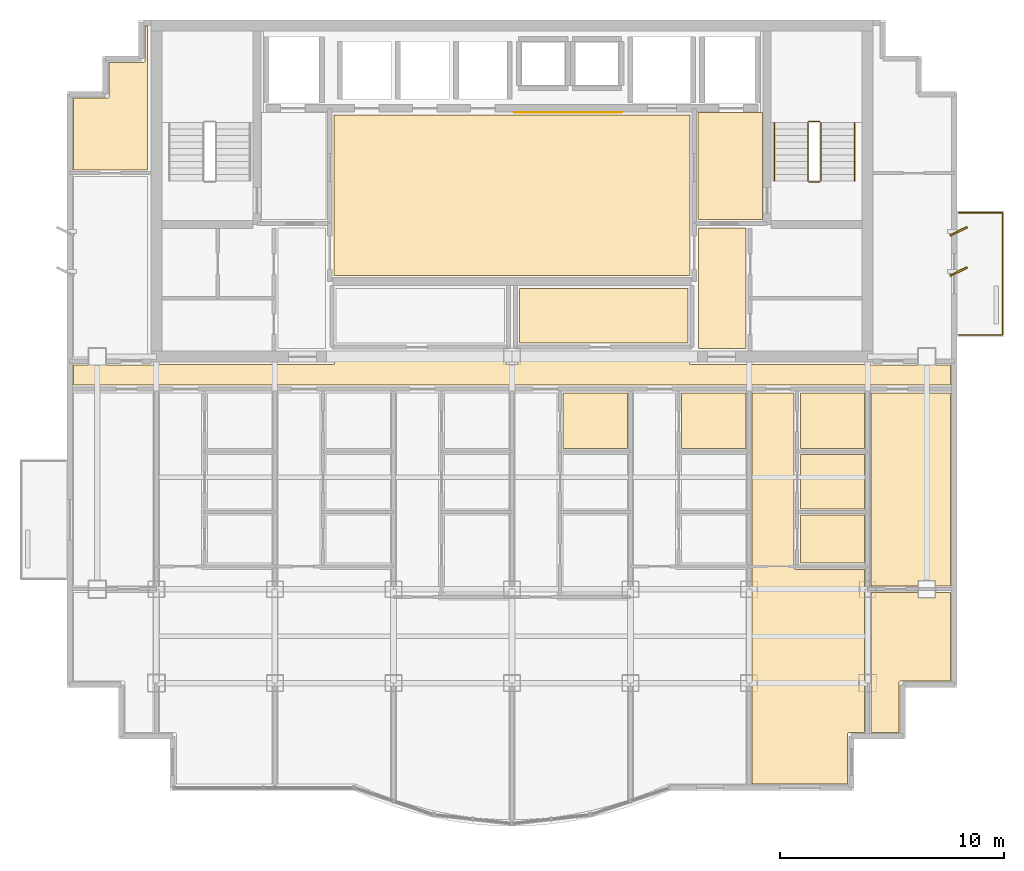
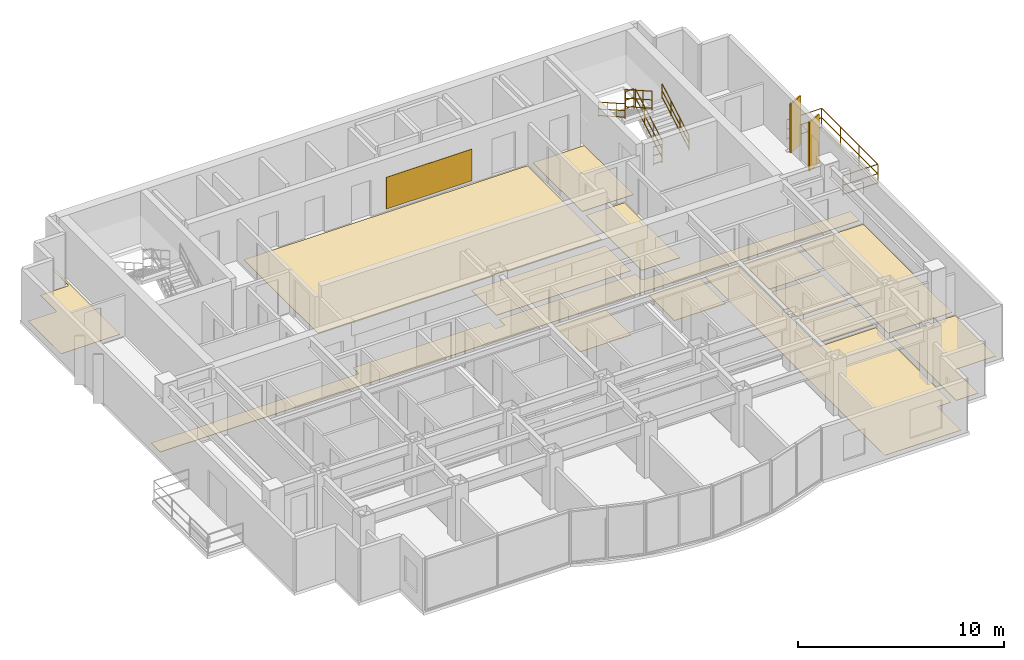
# One storey, part 9 of 9: 15 coverings, 7 railings, 2 shading devices.
"""IFC4 building model written with IfcOpenShell, lengths in metres."""

from ifc_helpers import new_model, si_unit, direction, frame, origin, origin_2d, place, context, subcontext, project, spatial, polyline, rectangle, circle, outline, extrude, source, transform, mapped, material, layer, layer_set, type_object, element, save


model = new_model("IFC4")

# Units and contexts
model_context = context("Model", 3, precision=1e-05, world=origin(), true_north=direction((0.0, 1.0)))
body_context = subcontext(model_context, "Body", "Model", "MODEL_VIEW")
ifc_project = project(units=[si_unit("LENGTHUNIT", "METRE"), si_unit("AREAUNIT", "SQUARE_METRE"), si_unit("VOLUMEUNIT", "CUBIC_METRE"), si_unit("PLANEANGLEUNIT", "RADIAN"), si_unit("MASSUNIT", "GRAM", prefix="KILO")], contexts=[model_context])

# Site, building, storey
site_placement = place(None, origin())
site = spatial("IfcSite", under=ifc_project, at=site_placement, CompositionType="ELEMENT")
building_placement = place(site_placement, origin())
building = spatial("IfcBuilding", under=site, at=building_placement, Name="Qianlan Lanfeng Residences", CompositionType="ELEMENT")
storey_placement = place(building_placement, frame((0.0, 0.0, 229.699951171875)))
storey = spatial("IfcBuildingStorey", under=building, at=storey_placement, Name="L63", CompositionType="ELEMENT", Elevation=229.699951171875)

# Coverings
ifc_material_1 = material(Name="Anodised Bronze Feature Wall Cladding")
ifc_layer_1 = layer(ifc_material_1, 0.02490234375)
ifc_layer_set_1 = layer_set([ifc_layer_1], Name="Anodised Bronze Feature Wall Cladding")
covering_type_1 = type_object("IfcCoveringType", Name="CLD-BRZ-25", PredefinedType="CLADDING", material=ifc_layer_set_1)
covering_1_placement = place(storey_placement, frame((0.0, 0.0, 0.150146484375)))
element("IfcCovering", 1, at=covering_1_placement, inside=storey, type_object=covering_type_1, Name="L63 Lift Lobby Bronze Feature Cladding", PredefinedType="CLADDING", context=body_context, shape_type="SweptSolid", body=[
    extrude(outline(polyline([(26.60009765625, 36.10009765625), (31.39990234375, 36.10009765625), (31.39990234375, 36.125), (26.60009765625, 36.125), (26.60009765625, 36.10009765625)])), origin(), (0.0, 0.0, 1.0), 1.8798828125),
])
ifc_material_2 = material(Name="Honed Taitung Granite Stone Flooring", Category="masonry")
ifc_layer_2 = layer(ifc_material_2, 0.030029296875)
ifc_layer_set_2 = layer_set([ifc_layer_2], Name="Honed Taitung Granite Stone Flooring")
covering_type_2 = type_object("IfcCoveringType", Name="FLR-STN-30", PredefinedType="FLOORING", material=ifc_layer_set_2)
covering_2_placement = place(storey_placement, origin())
element("IfcCovering", 2, at=covering_2_placement, inside=storey, type_object=covering_type_2, Name="L63 Firefighting Lift Lobby Floor Finish", PredefinedType="FLOORING", context=body_context, shape_type="SweptSolid", body=[
    extrude(outline(polyline([(34.820068359375, 31.320068359375), (37.7099609375, 31.320068359375), (37.7099609375, 36.110107421875), (34.820068359375, 36.110107421875), (34.820068359375, 31.320068359375)])), origin(), (0.0, 0.0, 1.0), 0.030029296875),
])
covering_3_placement = place(storey_placement, origin())
element("IfcCovering", 3, at=covering_3_placement, inside=storey, type_object=covering_type_2, Name="L63 Lift Lobby Floor Finish", PredefinedType="FLOORING", context=body_context, shape_type="SweptSolid", body=[
    extrude(outline(polyline([(18.550048828125, 28.820068359375), (34.449951171875, 28.820068359375), (34.449951171875, 36.010009765625), (18.550048828125, 36.010009765625), (18.550048828125, 28.820068359375)])), origin(), (0.0, 0.0, 1.0), 0.030029296875),
])
covering_4_placement = place(storey_placement, origin())
element("IfcCovering", 4, at=covering_4_placement, inside=storey, type_object=covering_type_2, Name="L63 Residential Corridor Floor Finish", PredefinedType="FLOORING", context=body_context, shape_type="SweptSolid", body=[
    extrude(outline(polyline([(6.889892578125, 23.929931640625), (46.110107421875, 23.929931640625), (46.110107421875, 24.820068359375), (42.5400390625, 24.820068359375), (42.532958984375, 24.820068359375), (42.52587890625, 24.821044921875), (42.52001953125, 24.822998046875), (42.512939453125, 24.824951171875), (42.507080078125, 24.827880859375), (42.5009765625, 24.83203125), (42.49609375, 24.8359375), (42.490966796875, 24.841064453125), (42.486083984375, 24.845947265625), (42.48291015625, 24.85009765625), (34.5, 24.85009765625), (34.492919921875, 24.85009765625), (34.486083984375, 24.85107421875), (34.47998046875, 24.85302734375), (34.472900390625, 24.85498046875), (34.467041015625, 24.85791015625), (34.4609375, 24.862060546875), (34.4560546875, 24.865966796875), (34.450927734375, 24.87109375), (34.446044921875, 24.8759765625), (34.44189453125, 24.881103515625), (34.43798828125, 24.886962890625), (34.43505859375, 24.89306640625), (34.43310546875, 24.89990234375), (34.430908203125, 24.906005859375), (34.429931640625, 24.9130859375), (34.429931640625, 24.919921875), (34.429931640625, 25.429931640625), (26.77001953125, 25.429931640625), (26.77001953125, 24.919921875), (26.77001953125, 24.9130859375), (26.76904296875, 24.906005859375), (26.76708984375, 24.89990234375), (26.764892578125, 24.89306640625), (26.761962890625, 24.886962890625), (26.758056640625, 24.881103515625), (26.75390625, 24.8759765625), (26.7490234375, 24.87109375), (26.743896484375, 24.865966796875), (26.739013671875, 24.862060546875), (26.73291015625, 24.85791015625), (26.72705078125, 24.85498046875), (26.719970703125, 24.85302734375), (26.714111328125, 24.85107421875), (26.70703125, 24.85009765625), (26.699951171875, 24.85009765625), (26.300048828125, 24.85009765625), (26.29296875, 24.85009765625), (26.285888671875, 24.85107421875), (26.280029296875, 24.85302734375), (26.27294921875, 24.85498046875), (26.26708984375, 24.85791015625), (26.260986328125, 24.862060546875), (26.256103515625, 24.865966796875), (26.2509765625, 24.87109375), (26.24609375, 24.8759765625), (26.241943359375, 24.881103515625), (26.238037109375, 24.886962890625), (26.235107421875, 24.89306640625), (26.23291015625, 24.89990234375), (26.23095703125, 24.906005859375), (26.22998046875, 24.9130859375), (26.22998046875, 24.919921875), (26.22998046875, 25.429931640625), (18.570068359375, 25.429931640625), (18.570068359375, 24.919921875), (18.570068359375, 24.9130859375), (18.569091796875, 24.906005859375), (18.56689453125, 24.89990234375), (18.56494140625, 24.89306640625), (18.56201171875, 24.886962890625), (18.55810546875, 24.881103515625), (18.553955078125, 24.8759765625), (18.549072265625, 24.87109375), (18.5439453125, 24.865966796875), (18.5390625, 24.862060546875), (18.532958984375, 24.85791015625), (18.527099609375, 24.85498046875), (18.52001953125, 24.85302734375), (18.513916015625, 24.85107421875), (18.507080078125, 24.85009765625), (18.5, 24.85009765625), (10.51708984375, 24.85009765625), (10.513916015625, 24.845947265625), (10.509033203125, 24.841064453125), (10.50390625, 24.8359375), (10.4990234375, 24.83203125), (10.492919921875, 24.827880859375), (10.487060546875, 24.824951171875), (10.47998046875, 24.822998046875), (10.47412109375, 24.821044921875), (10.467041015625, 24.820068359375), (10.4599609375, 24.820068359375), (6.889892578125, 24.820068359375), (6.889892578125, 23.929931640625)])), origin(), (0.0, 0.0, 1.0), 0.030029296875),
])
covering_5_placement = place(storey_placement, origin())
element("IfcCovering", 5, at=covering_5_placement, inside=storey, type_object=covering_type_2, Name="L63 Lift Lobby Floor Finish", PredefinedType="FLOORING", context=body_context, shape_type="SweptSolid", body=[
    extrude(outline(polyline([(34.830078125, 25.56005859375), (36.969970703125, 25.56005859375), (36.969970703125, 30.949951171875), (34.830078125, 30.949951171875), (34.830078125, 25.56005859375)])), origin(), (0.0, 0.0, 1.0), 0.030029296875),
])
ifc_material_3 = material(Name="Slip-Resistant Porcelain Tile Flooring")
ifc_layer_3 = layer(ifc_material_3, 0.02001953125)
ifc_layer_set_3 = layer_set([ifc_layer_3], Name="Slip-Resistant Porcelain Tile Flooring")
covering_type_3 = type_object("IfcCoveringType", Name="FLR-TIL-20", PredefinedType="FLOORING", material=ifc_layer_set_3)
covering_6_placement = place(storey_placement, origin())
element("IfcCovering", 6, at=covering_6_placement, inside=storey, type_object=covering_type_3, Name="L63 Bathroom Floor Finish", PredefinedType="FLOORING", context=body_context, shape_type="SweptSolid", body=[
    extrude(outline(polyline([(28.7900390625, 21.090087890625), (31.659912109375, 21.090087890625), (31.659912109375, 23.580078125), (28.7900390625, 23.580078125), (28.7900390625, 21.090087890625)])), origin(), (0.0, 0.0, 1.0), 0.02001953125),
])
covering_7_placement = place(storey_placement, origin())
element("IfcCovering", 7, at=covering_7_placement, inside=storey, type_object=covering_type_3, Name="L63 Bathroom Floor Finish", PredefinedType="FLOORING", context=body_context, shape_type="SweptSolid", body=[
    extrude(outline(polyline([(34.090087890625, 21.090087890625), (36.9599609375, 21.090087890625), (36.9599609375, 23.580078125), (34.090087890625, 23.580078125), (34.090087890625, 21.090087890625)])), origin(), (0.0, 0.0, 1.0), 0.02001953125),
])
covering_8_placement = place(storey_placement, origin())
element("IfcCovering", 8, at=covering_8_placement, inside=storey, type_object=covering_type_3, Name="L63 Kitchen Floor Finish", PredefinedType="FLOORING", context=body_context, shape_type="SweptSolid", body=[
    extrude(outline(polyline([(39.389892578125, 18.389892578125), (42.260009765625, 18.389892578125), (42.260009765625, 20.81005859375), (39.389892578125, 20.81005859375), (39.389892578125, 18.389892578125)])), origin(), (0.0, 0.0, 1.0), 0.02001953125),
])
covering_9_placement = place(storey_placement, origin())
element("IfcCovering", 9, at=covering_9_placement, inside=storey, type_object=covering_type_3, Name="L63 Bathroom Floor Finish", PredefinedType="FLOORING", context=body_context, shape_type="SweptSolid", body=[
    extrude(outline(polyline([(39.389892578125, 21.090087890625), (42.260009765625, 21.090087890625), (42.260009765625, 23.580078125), (39.389892578125, 23.580078125), (39.389892578125, 21.090087890625)])), origin(), (0.0, 0.0, 1.0), 0.02001953125),
])
ifc_material_4 = material(Name="Engineered Smoked Oak Timber Flooring", Category="wood")
ifc_layer_4 = layer(ifc_material_4, 0.02197265625)
ifc_layer_set_4 = layer_set([ifc_layer_4], Name="Engineered Smoked Oak Timber Flooring")
covering_type_4 = type_object("IfcCoveringType", Name="FLR-TIM-22", PredefinedType="FLOORING", material=ifc_layer_set_4)
covering_10_placement = place(storey_placement, origin())
element("IfcCovering", 10, at=covering_10_placement, inside=storey, type_object=covering_type_4, Name="L63 Tea Room Floor Finish", PredefinedType="FLOORING", context=body_context, shape_type="SweptSolid", body=[
    extrude(outline(polyline([(26.830078125, 25.800048828125), (34.3701171875, 25.800048828125), (34.3701171875, 28.2548828125), (26.830078125, 28.2548828125), (26.830078125, 25.800048828125)])), origin(), (0.0, 0.0, 1.0), 0.02197265625),
])
covering_11_placement = place(storey_placement, origin())
element("IfcCovering", 11, at=covering_11_placement, inside=storey, type_object=covering_type_4, Name="L63 Studio Living Room Floor Finish", PredefinedType="FLOORING", context=body_context, shape_type="SweptSolid", body=[
    extrude(outline(polyline([(42.27001953125, 8.389892578125), (42.27001953125, 15.679931640625), (39.179931640625, 15.679931640625), (39.173095703125, 15.679931640625), (39.166015625, 15.680908203125), (39.159912109375, 15.68310546875), (39.153076171875, 15.68505859375), (39.14697265625, 15.68798828125), (39.14111328125, 15.69189453125), (39.135986328125, 15.696044921875), (39.131103515625, 15.700927734375), (39.1259765625, 15.7060546875), (39.1220703125, 15.7109375), (39.117919921875, 15.717041015625), (39.114990234375, 15.722900390625), (39.113037109375, 15.72998046875), (39.111083984375, 15.736083984375), (39.110107421875, 15.742919921875), (39.110107421875, 15.75), (39.110107421875, 23.580078125), (37.22998046875, 23.580078125), (37.22998046875, 6.090087890625), (41.510009765625, 6.090087890625), (41.510009765625, 8.320068359375), (41.510009765625, 8.326904296875), (41.510986328125, 8.333984375), (41.512939453125, 8.340087890625), (41.514892578125, 8.346923828125), (41.51806640625, 8.35302734375), (41.52197265625, 8.35888671875), (41.52587890625, 8.364013671875), (41.531005859375, 8.368896484375), (41.535888671875, 8.3740234375), (41.541015625, 8.3779296875), (41.547119140625, 8.382080078125), (41.552978515625, 8.385009765625), (41.56005859375, 8.386962890625), (41.56591796875, 8.388916015625), (41.572998046875, 8.389892578125), (41.580078125, 8.389892578125), (42.27001953125, 8.389892578125)])), origin(), (0.0, 0.0, 1.0), 0.02197265625),
])
covering_12_placement = place(storey_placement, origin())
element("IfcCovering", 12, at=covering_12_placement, inside=storey, type_object=covering_type_4, Name="L63 Private Study Floor Finish", PredefinedType="FLOORING", context=body_context, shape_type="SweptSolid", body=[
    extrude(outline(polyline([(39.389892578125, 18.110107421875), (39.389892578125, 15.9599609375), (42.27001953125, 15.9599609375), (42.27001953125, 18.110107421875), (39.389892578125, 18.110107421875)])), origin(), (0.0, 0.0, 1.0), 0.02197265625),
])
covering_13_placement = place(storey_placement, origin())
element("IfcCovering", 13, at=covering_13_placement, inside=storey, type_object=covering_type_4, Name="L63 Sunroom Floor Finish", PredefinedType="FLOORING", context=body_context, shape_type="SweptSolid", body=[
    extrude(outline(polyline([(46.110107421875, 14.64990234375), (42.56005859375, 14.64990234375), (42.56005859375, 8.389892578125), (43.81005859375, 8.389892578125), (43.81005859375, 10.6201171875), (43.81005859375, 10.626953125), (43.81103515625, 10.634033203125), (43.81298828125, 10.639892578125), (43.81494140625, 10.64697265625), (43.818115234375, 10.653076171875), (43.822021484375, 10.658935546875), (43.825927734375, 10.6640625), (43.8310546875, 10.6689453125), (43.8359375, 10.674072265625), (43.841064453125, 10.677978515625), (43.846923828125, 10.681884765625), (43.85302734375, 10.68505859375), (43.860107421875, 10.68701171875), (43.865966796875, 10.68896484375), (43.873046875, 10.68994140625), (43.8798828125, 10.68994140625), (46.110107421875, 10.68994140625), (46.110107421875, 14.64990234375)])), origin(), (0.0, 0.0, 1.0), 0.02197265625),
])
covering_14_placement = place(storey_placement, origin())
element("IfcCovering", 14, at=covering_14_placement, inside=storey, type_object=covering_type_4, Name="L63 Private Study Floor Finish", PredefinedType="FLOORING", context=body_context, shape_type="SweptSolid", body=[
    extrude(outline(polyline([(46.110107421875, 23.580078125), (42.56005859375, 23.580078125), (42.56005859375, 14.949951171875), (46.110107421875, 14.949951171875), (46.110107421875, 23.580078125)])), origin(), (0.0, 0.0, 1.0), 0.02197265625),
])
covering_15_placement = place(storey_placement, origin())
element("IfcCovering", 15, at=covering_15_placement, inside=storey, type_object=covering_type_4, Name="L63 Resident Lounge Floor Finish", PredefinedType="FLOORING", context=body_context, shape_type="SweptSolid", body=[
    extrude(outline(polyline([(6.889892578125, 33.550048828125), (10.199951171875, 33.550048828125), (10.199951171875, 39.9599609375), (10.090087890625, 39.9599609375), (10.090087890625, 38.429931640625), (10.090087890625, 38.423095703125), (10.089111328125, 38.416015625), (10.0869140625, 38.409912109375), (10.0849609375, 38.403076171875), (10.08203125, 38.39697265625), (10.077880859375, 38.39111328125), (10.073974609375, 38.385986328125), (10.069091796875, 38.381103515625), (10.06396484375, 38.3759765625), (10.05908203125, 38.3720703125), (10.052978515625, 38.367919921875), (10.047119140625, 38.364990234375), (10.0400390625, 38.363037109375), (10.033935546875, 38.361083984375), (10.027099609375, 38.360107421875), (10.02001953125, 38.360107421875), (8.489990234375, 38.360107421875), (8.489990234375, 36.830078125), (8.489990234375, 36.822998046875), (8.489013671875, 36.81591796875), (8.487060546875, 36.81005859375), (8.485107421875, 36.802978515625), (8.48193359375, 36.797119140625), (8.47802734375, 36.791015625), (8.47412109375, 36.785888671875), (8.468994140625, 36.781005859375), (8.464111328125, 36.77587890625), (8.458984375, 36.77197265625), (8.452880859375, 36.76806640625), (8.447021484375, 36.764892578125), (8.43994140625, 36.762939453125), (8.43408203125, 36.760986328125), (8.427001953125, 36.760009765625), (8.419921875, 36.760009765625), (6.889892578125, 36.760009765625), (6.889892578125, 33.550048828125)])), origin(), (0.0, 0.0, 1.0), 0.02197265625),
])

# Railings
ifc_material_5 = material(Name="Anodised Bronze Aluminium and Laminated Glass Guard Balustrade", Category="aluminium")
railing_type_1 = type_object("IfcRailingType", Name="GR-EXT-1220", PredefinedType="BALUSTRADE", material=ifc_material_5)
railing_1_placement = place(storey_placement, frame((46.469970703125, 31.6298828125, 0.0)))
element("IfcRailing", 16, at=railing_1_placement, inside=storey, type_object=railing_type_1, Name="L63 Terrace Safety Guard GR-L63-EB-N", PredefinedType="BALUSTRADE", context=body_context, shape_type="SweptSolid", body=[
    extrude(circle(Radius=0.02490234375, at=origin_2d()), frame((0.0, 0.0, 0.0849609375), z_axis=(1.0, 0.0, 0.0), x_axis=(0.0, 1.0, 0.0)), (0.0, 0.0, 1.0), 1.9599609375),
    extrude(circle(Radius=0.02490234375, at=origin_2d()), frame((0.0, 0.0, 0.63427734375), z_axis=(1.0, 0.0, 0.0), x_axis=(0.0, 1.0, 0.0)), (0.0, 0.0, 1.0), 1.9599609375),
    extrude(circle(Radius=0.02490234375, at=origin_2d()), frame((0.0, 0.0, 1.19482421875), z_axis=(1.0, 0.0, 0.0), x_axis=(0.0, 1.0, 0.0)), (0.0, 0.0, 1.0), 1.9599609375),
    extrude(circle(Radius=0.02490234375, at=origin_2d()), frame((1.9599609375, 0.0, 0.0849609375), z_axis=(0.0, -1.0, 0.0), x_axis=(1.0, 0.0, 0.0)), (0.0, 0.0, 1.0), 5.4599609375),
    extrude(circle(Radius=0.02490234375, at=origin_2d()), frame((1.9599609375, 0.0, 0.63427734375), z_axis=(0.0, -1.0, 0.0), x_axis=(1.0, 0.0, 0.0)), (0.0, 0.0, 1.0), 5.4599609375),
    extrude(circle(Radius=0.02490234375, at=origin_2d()), frame((1.9599609375, 0.0, 1.19482421875), z_axis=(0.0, -1.0, 0.0), x_axis=(1.0, 0.0, 0.0)), (0.0, 0.0, 1.0), 5.4599609375),
    extrude(circle(Radius=0.02490234375, at=origin_2d()), frame((1.9599609375, -5.4599609375, 0.0849609375), z_axis=(-1.0, 0.0, 0.0), x_axis=(0.0, -1.0, 0.0)), (0.0, 0.0, 1.0), 1.9599609375),
    extrude(circle(Radius=0.02490234375, at=origin_2d()), frame((1.9599609375, -5.4599609375, 0.63427734375), z_axis=(-1.0, 0.0, 0.0), x_axis=(0.0, -1.0, 0.0)), (0.0, 0.0, 1.0), 1.9599609375),
    extrude(circle(Radius=0.02490234375, at=origin_2d()), frame((1.9599609375, -5.4599609375, 1.19482421875), z_axis=(-1.0, 0.0, 0.0), x_axis=(0.0, -1.0, 0.0)), (0.0, 0.0, 1.0), 1.9599609375),
    extrude(circle(Radius=0.02099609375, at=origin_2d()), origin(), (0.0, 0.0, 1.0), 1.169921875),
    extrude(circle(Radius=0.02099609375, at=origin_2d()), frame((1.9599609375, 0.0, 0.0)), (0.0, 0.0, 1.0), 1.169921875),
    extrude(circle(Radius=0.02099609375, at=origin_2d()), frame((1.9599609375, -1.820068359375, 0.0)), (0.0, 0.0, 1.0), 1.169921875),
    extrude(circle(Radius=0.02099609375, at=origin_2d()), frame((1.9599609375, -3.639892578125, 0.0)), (0.0, 0.0, 1.0), 1.169921875),
    extrude(circle(Radius=0.02099609375, at=origin_2d()), frame((1.9599609375, -5.4599609375, 0.0)), (0.0, 0.0, 1.0), 1.169921875),
    extrude(circle(Radius=0.02099609375, at=origin_2d()), frame((0.0, -5.4599609375, 0.0)), (0.0, 0.0, 1.0), 1.169921875),
])
ifc_material_6 = material(Name="Painted Galvanised Steel Guardrail", Category="steel")
railing_type_2 = type_object("IfcRailingType", Name="GR-ST-1120", PredefinedType="GUARDRAIL", material=ifc_material_6)
railing_2_placement = place(storey_placement, frame((40.31005859375, 33.050048828125, 0.1650390625)))
element("IfcRailing", 17, at=railing_2_placement, inside=storey, type_object=railing_type_2, Name="L63 ST-2 stair guard 1", PredefinedType="GUARDRAIL", context=body_context, shape_type="SweptSolid", body=[
    extrude(circle(Radius=0.02392578125, at=origin_2d()), frame((0.0, 0.0, 0.083984375), z_axis=(0.0, 0.869137319866, 0.494570843475), x_axis=(-1.0, 0.0, 0.0)), (0.0, 0.0, 1.0), 3.0029296875),
    extrude(circle(Radius=0.02392578125, at=origin_2d()), frame((0.0, 0.0, 0.58251953125), z_axis=(0.0, 0.869137319866, 0.494570843475), x_axis=(-1.0, 0.0, 0.0)), (0.0, 0.0, 1.0), 3.0029296875),
    extrude(circle(Radius=0.02392578125, at=origin_2d()), frame((0.0, 0.0, 1.09619140625), z_axis=(0.0, 0.869137319866, 0.494570843475), x_axis=(-1.0, 0.0, 0.0)), (0.0, 0.0, 1.0), 3.0029296875),
    extrude(circle(Radius=0.02099609375, at=origin_2d()), origin(), (0.0, 0.0, 1.0), 1.072021484375),
    extrude(circle(Radius=0.02099609375, at=origin_2d()), frame((0.0, 0.869873046875, 0.4951171875)), (0.0, 0.0, 1.0), 1.072021484375),
    extrude(circle(Radius=0.02099609375, at=origin_2d()), frame((0.0, 1.739990234375, 0.989990234375)), (0.0, 0.0, 1.0), 1.072021484375),
    extrude(circle(Radius=0.02099609375, at=origin_2d()), frame((0.0, 2.60986328125, 1.485107421875)), (0.0, 0.0, 1.0), 1.072021484375),
])
railing_3_placement = place(storey_placement, frame((40.260009765625, 35.7099609375, 1.650146484375)))
element("IfcRailing", 18, at=railing_3_placement, inside=storey, type_object=railing_type_2, Name="L63 ST-2 stair guard 2", PredefinedType="GUARDRAIL", context=body_context, shape_type="SweptSolid", body=[
    extrude(circle(Radius=0.02392578125, at=origin_2d()), frame((0.0, 0.0, 0.083984375), z_axis=(-1.0, 0.0, 0.0), x_axis=(0.0, -1.0, 0.0)), (0.0, 0.0, 1.0), 0.47998046875),
    extrude(circle(Radius=0.02392578125, at=origin_2d()), frame((0.0, 0.0, 0.58251953125), z_axis=(-1.0, 0.0, 0.0), x_axis=(0.0, -1.0, 0.0)), (0.0, 0.0, 1.0), 0.47998046875),
    extrude(circle(Radius=0.02392578125, at=origin_2d()), frame((0.0, 0.0, 1.09619140625), z_axis=(-1.0, 0.0, 0.0), x_axis=(0.0, -1.0, 0.0)), (0.0, 0.0, 1.0), 0.47998046875),
    extrude(circle(Radius=0.02099609375, at=origin_2d()), origin(), (0.0, 0.0, 1.0), 1.072021484375),
    extrude(circle(Radius=0.02099609375, at=origin_2d()), frame((-0.47998046875, 0.0, 0.0)), (0.0, 0.0, 1.0), 1.072021484375),
])
railing_4_placement = place(storey_placement, frame((39.72998046875, 35.659912109375, 1.81494140625)))
element("IfcRailing", 19, at=railing_4_placement, inside=storey, type_object=railing_type_2, Name="L63 ST-2 stair guard 3", PredefinedType="GUARDRAIL", context=body_context, shape_type="SweptSolid", body=[
    extrude(circle(Radius=0.02392578125, at=origin_2d()), frame((0.0, 0.0, 0.083984375), z_axis=(0.0, -0.869137319866, 0.494570843475), x_axis=(1.0, 0.0, 0.0)), (0.0, 0.0, 1.0), 3.0029296875),
    extrude(circle(Radius=0.02392578125, at=origin_2d()), frame((0.0, 0.0, 0.58251953125), z_axis=(0.0, -0.869137319866, 0.494570843475), x_axis=(1.0, 0.0, 0.0)), (0.0, 0.0, 1.0), 3.0029296875),
    extrude(circle(Radius=0.02392578125, at=origin_2d()), frame((0.0, 0.0, 1.09619140625), z_axis=(0.0, -0.869137319866, 0.494570843475), x_axis=(1.0, 0.0, 0.0)), (0.0, 0.0, 1.0), 3.0029296875),
    extrude(circle(Radius=0.02099609375, at=origin_2d()), origin(), (0.0, 0.0, 1.0), 1.072021484375),
    extrude(circle(Radius=0.02099609375, at=origin_2d()), frame((0.0, -0.869873046875, 0.4951171875)), (0.0, 0.0, 1.0), 1.072021484375),
    extrude(circle(Radius=0.02099609375, at=origin_2d()), frame((0.0, -1.739990234375, 0.989990234375)), (0.0, 0.0, 1.0), 1.072021484375),
    extrude(circle(Radius=0.02099609375, at=origin_2d()), frame((0.0, -2.60986328125, 1.485107421875)), (0.0, 0.0, 1.0), 1.072021484375),
])
railing_5_placement = place(storey_placement, frame((40.260009765625, 33.0, 0.0)))
element("IfcRailing", 20, at=railing_5_placement, inside=storey, type_object=railing_type_2, Name="L63 ST-2 stair guard 4", PredefinedType="GUARDRAIL", context=body_context, shape_type="SweptSolid", body=[
    extrude(circle(Radius=0.02392578125, at=origin_2d()), frame((0.0, 0.0, 0.083984375), z_axis=(-1.0, 0.0, 0.0), x_axis=(0.0, -1.0, 0.0)), (0.0, 0.0, 1.0), 0.47998046875),
    extrude(circle(Radius=0.02392578125, at=origin_2d()), frame((0.0, 0.0, 0.58251953125), z_axis=(-1.0, 0.0, 0.0), x_axis=(0.0, -1.0, 0.0)), (0.0, 0.0, 1.0), 0.47998046875),
    extrude(circle(Radius=0.02392578125, at=origin_2d()), frame((0.0, 0.0, 1.09619140625), z_axis=(-1.0, 0.0, 0.0), x_axis=(0.0, -1.0, 0.0)), (0.0, 0.0, 1.0), 0.47998046875),
    extrude(circle(Radius=0.02099609375, at=origin_2d()), origin(), (0.0, 0.0, 1.0), 1.072021484375),
    extrude(circle(Radius=0.02099609375, at=origin_2d()), frame((-0.47998046875, 0.0, 0.0)), (0.0, 0.0, 1.0), 1.072021484375),
])
ifc_material_7 = material(Name="Brushed Stainless Steel Handrail", Category="steel")
railing_type_3 = type_object("IfcRailingType", Name="HR-ST-920", PredefinedType="HANDRAIL", material=ifc_material_7)
railing_6_placement = place(storey_placement, frame((41.81005859375, 33.050048828125, 0.1650390625)))
element("IfcRailing", 21, at=railing_6_placement, inside=storey, type_object=railing_type_3, Name="L63 ST-2 stair handrail 1", PredefinedType="HANDRAIL", context=body_context, shape_type="SweptSolid", body=[
    extrude(circle(Radius=0.02392578125, at=origin_2d()), frame((0.0, 0.0, 0.083984375), z_axis=(0.0, 0.869137319866, 0.494570843475), x_axis=(-1.0, 0.0, 0.0)), (0.0, 0.0, 1.0), 3.0029296875),
    extrude(circle(Radius=0.02392578125, at=origin_2d()), frame((0.0, 0.0, 0.468017578125), z_axis=(0.0, 0.869137319866, 0.494570843475), x_axis=(-1.0, 0.0, 0.0)), (0.0, 0.0, 1.0), 3.0029296875),
    extrude(circle(Radius=0.02392578125, at=origin_2d()), frame((0.0, 0.0, 0.8759765625), z_axis=(0.0, 0.869137319866, 0.494570843475), x_axis=(-1.0, 0.0, 0.0)), (0.0, 0.0, 1.0), 3.0029296875),
    extrude(circle(Radius=0.02099609375, at=origin_2d()), origin(), (0.0, 0.0, 1.0), 0.851806640625),
    extrude(circle(Radius=0.02099609375, at=origin_2d()), frame((0.0, 0.869873046875, 0.4951171875)), (0.0, 0.0, 1.0), 0.851806640625),
    extrude(circle(Radius=0.02099609375, at=origin_2d()), frame((0.0, 1.739990234375, 0.989990234375)), (0.0, 0.0, 1.0), 0.851806640625),
    extrude(circle(Radius=0.02099609375, at=origin_2d()), frame((0.0, 2.60986328125, 1.485107421875)), (0.0, 0.0, 1.0), 0.851806640625),
])
railing_7_placement = place(storey_placement, frame((38.22998046875, 35.659912109375, 1.81494140625)))
element("IfcRailing", 22, at=railing_7_placement, inside=storey, type_object=railing_type_3, Name="L63 ST-2 stair handrail 2", PredefinedType="HANDRAIL", context=body_context, shape_type="SweptSolid", body=[
    extrude(circle(Radius=0.02392578125, at=origin_2d()), frame((0.0, 0.0, 0.083984375), z_axis=(0.0, -0.869137319866, 0.494570843475), x_axis=(1.0, 0.0, 0.0)), (0.0, 0.0, 1.0), 3.0029296875),
    extrude(circle(Radius=0.02392578125, at=origin_2d()), frame((0.0, 0.0, 0.468017578125), z_axis=(0.0, -0.869137319866, 0.494570843475), x_axis=(1.0, 0.0, 0.0)), (0.0, 0.0, 1.0), 3.0029296875),
    extrude(circle(Radius=0.02392578125, at=origin_2d()), frame((0.0, 0.0, 0.8759765625), z_axis=(0.0, -0.869137319866, 0.494570843475), x_axis=(1.0, 0.0, 0.0)), (0.0, 0.0, 1.0), 3.0029296875),
    extrude(circle(Radius=0.02099609375, at=origin_2d()), origin(), (0.0, 0.0, 1.0), 0.851806640625),
    extrude(circle(Radius=0.02099609375, at=origin_2d()), frame((0.0, -0.869873046875, 0.4951171875)), (0.0, 0.0, 1.0), 0.851806640625),
    extrude(circle(Radius=0.02099609375, at=origin_2d()), frame((0.0, -1.739990234375, 0.989990234375)), (0.0, 0.0, 1.0), 0.851806640625),
    extrude(circle(Radius=0.02099609375, at=origin_2d()), frame((0.0, -2.60986328125, 1.485107421875)), (0.0, 0.0, 1.0), 0.851806640625),
])

# Shading devices
ifc_material_8 = material(Name="Anodised Bronze Aluminium Solar Fin", Category="aluminium")
shading_device_type = type_object("IfcShadingDeviceType", Name="FIN-BRZ-850", PredefinedType="SHUTTER", material=ifc_material_8)
shared_shape = source(origin(), body_context, "Body", "SweptSolid", [
    extrude(rectangle(XDim=0.85009765625, YDim=0.080078125, at=origin_2d()), origin(), (0.0, 0.0, 1.0), 2.89990234375),
])
for number, where, z_axis, x_axis, name in (
    (23, (46.469970703125, 29.0, 0.0), (0.0, 0.0, 1.0), (0.898794046299, 0.438371146789, 0.0), "L63 Raked Bronze Solar Fin E1"),
    (24, (46.469970703125, 30.800048828125, 0.0), (0.0, 0.0, 1.0), (0.898794046299, 0.438371146789, 0.0), "L63 Raked Bronze Solar Fin E2"),
):
    element("IfcShadingDevice", number, at=place(storey_placement, frame(where, z_axis=z_axis, x_axis=x_axis)), inside=storey, type_object=shading_device_type, Name=name, PredefinedType="SHUTTER", context=body_context, shape_type="MappedRepresentation", body=[
        mapped(shared_shape, transform((0.0, 0.0, 0.0), scale=1.0)),
    ])

save(model, "model.ifc")
